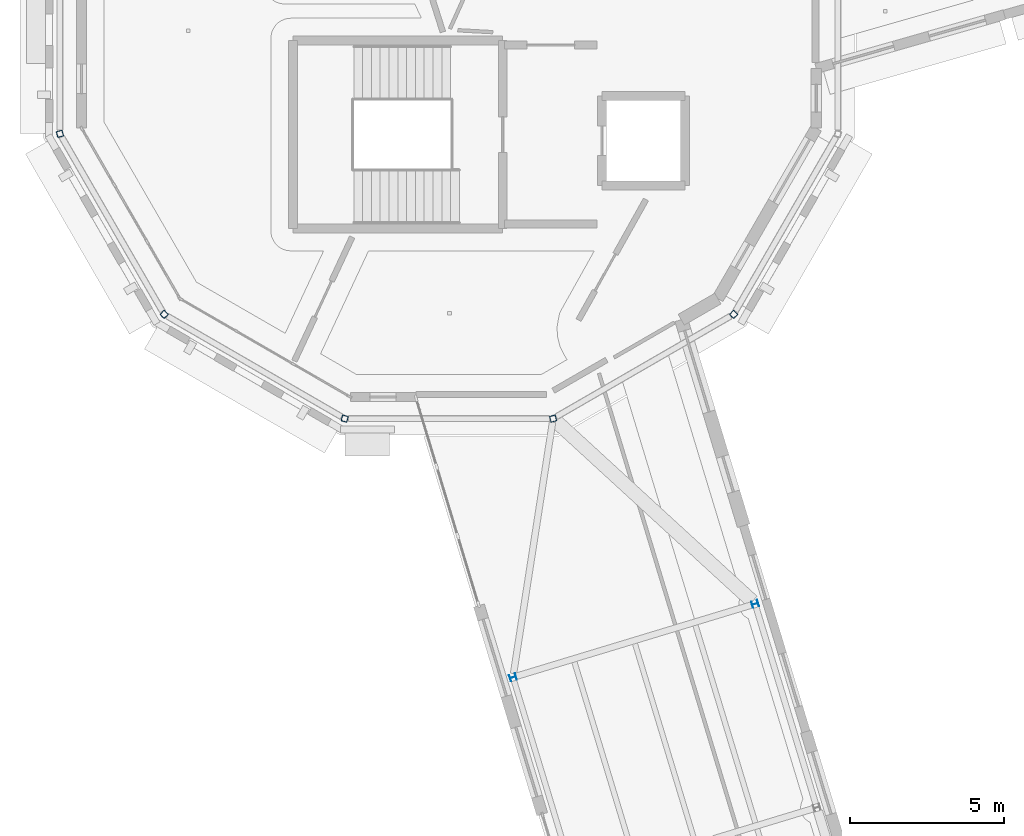
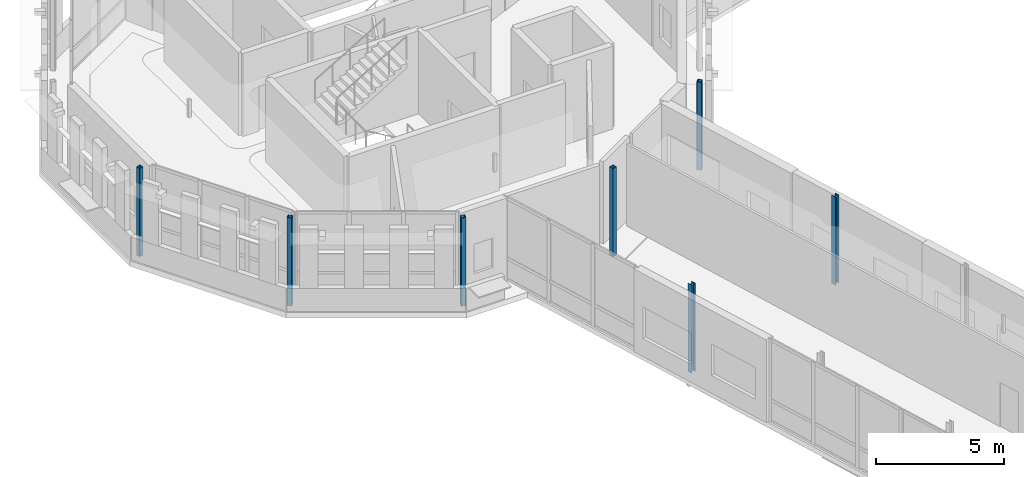
# One storey, part 9 of 125: 7 columns.
"""IFC4 building model written with IfcOpenShell, lengths in metres."""

from ifc_helpers import new_model, si_unit, direction, frame, origin, origin_2d, place, context, subcontext, project, spatial, hollow_rectangle, i_section, extrude, material, material_profile, profile_set, type_object, element, save


model = new_model("IFC4")

# Units and contexts
model_context = context("Model", 3, precision=1e-05, world=origin(), true_north=direction((0.0, 1.0)))
body_context = subcontext(model_context, "Body", "Model", "MODEL_VIEW")
ifc_project = project(units=[si_unit("LENGTHUNIT", "METRE"), si_unit("AREAUNIT", "SQUARE_METRE"), si_unit("VOLUMEUNIT", "CUBIC_METRE"), si_unit("PLANEANGLEUNIT", "RADIAN"), si_unit("MASSUNIT", "GRAM", prefix="KILO")], contexts=[model_context])

# Site, building, storey
site_placement = place(None, origin())
site = spatial("IfcSite", under=ifc_project, at=site_placement, CompositionType="ELEMENT")
building_placement = place(site_placement, origin())
building = spatial("IfcBuilding", under=site, at=building_placement, Name="Wrenclough Park School", CompositionType="ELEMENT")
storey_placement = place(building_placement, frame((0.0, 0.0, 4.199951171875)))
storey = spatial("IfcBuildingStorey", under=building, at=storey_placement, Name="L01", CompositionType="ELEMENT", Elevation=4.199951171875)

# Columns
ifc_material = material(Name="Structural steel S355", Category="steel")
ifc_material_profile_1 = material_profile(ifc_material, hollow_rectangle(XDim=0.199951171875, YDim=0.199951171875, WallThickness=0.012451171875, InnerFilletRadius=0.012451171875, OuterFilletRadius=0.018798828125, at=origin_2d()), Name="SHS 200x200x12.5")
ifc_profile_set_1 = profile_set([ifc_material_profile_1], Name="Structural steel S355")
column_type_1 = type_object("IfcColumnType", Name="STR-COL-SHS200", PredefinedType="COLUMN", material=ifc_profile_set_1)
for number, where, z_axis, x_axis, name in (
    (1, (3.894775390625, 86.122314453125, 0.0), (0.0, 0.0, 1.0), (0.258819045103, -0.965925826289, 0.0), "D3 L01 column D3-OUT-07"),
    (2, (7.272216796875, 80.272216796875, 0.0), (0.0, 0.0, 1.0), (0.707106781187, -0.707106781187, 0.0), "D3 L01 column D3-OUT-08"),
    (3, (13.122314453125, 76.894775390625, 0.0), (0.0, 0.0, 1.0), (0.965925826289, -0.258819045103, 0.0), "D3 L01 column D3-OUT-09"),
    (4, (19.877685546875, 76.894775390625, 0.0), (0.0, 0.0, 1.0), (0.965925826289, 0.258819045103, 0.0), "D3 L01 column D3-OUT-10"),
    (5, (25.727783203125, 80.272216796875, 0.0), (0.0, 0.0, 1.0), (0.707106781187, 0.707106781187, 0.0), "D3 L01 column D3-OUT-11"),
):
    element("IfcColumn", number, at=place(storey_placement, frame(where, z_axis=z_axis, x_axis=x_axis)), inside=storey, type_object=column_type_1, Name=name, PredefinedType="COLUMN", context=body_context, shape_type="SweptSolid", body=[
        extrude(hollow_rectangle(XDim=0.199951171875, YDim=0.199951171875, WallThickness=0.012451171875, InnerFilletRadius=0.012451171875, OuterFilletRadius=0.018798828125, at=origin_2d()), origin(), (0.0, 0.0, 1.0), 4.199951171875),
    ])
ifc_material_profile_2 = material_profile(ifc_material, i_section(OverallWidth=0.205810546875, OverallDepth=0.209716796875, WebThickness=0.009521484375, FlangeThickness=0.01416015625, FilletRadius=0.01025390625, at=origin_2d()), Name="UKC 203x203x60")
ifc_profile_set_2 = profile_set([ifc_material_profile_2], Name="Structural steel S355")
column_type_2 = type_object("IfcColumnType", Name="STR-COL-UKC203B", PredefinedType="COLUMN", material=ifc_profile_set_2)
for number, where, z_axis, x_axis, name in (
    (6, (18.576171875, 68.510986328125, 0.0), (0.0, 0.0, 1.0), (-0.290034140915, 0.957016299288, 0.0), "W23 L01 column W23-C1-L07"),
    (7, (26.423828125, 70.888916015625, 0.0), (0.0, 0.0, 1.0), (-0.290034140915, 0.957016299288, 0.0), "W23 L01 column W23-C1-R07"),
):
    element("IfcColumn", number, at=place(storey_placement, frame(where, z_axis=z_axis, x_axis=x_axis)), inside=storey, type_object=column_type_2, Name=name, PredefinedType="COLUMN", context=body_context, shape_type="SweptSolid", body=[
        extrude(i_section(OverallWidth=0.205810546875, OverallDepth=0.209716796875, WebThickness=0.009521484375, FlangeThickness=0.01416015625, FilletRadius=0.01025390625, at=origin_2d()), origin(), (0.0, 0.0, 1.0), 4.199951171875),
    ])

save(model, "model.ifc")
